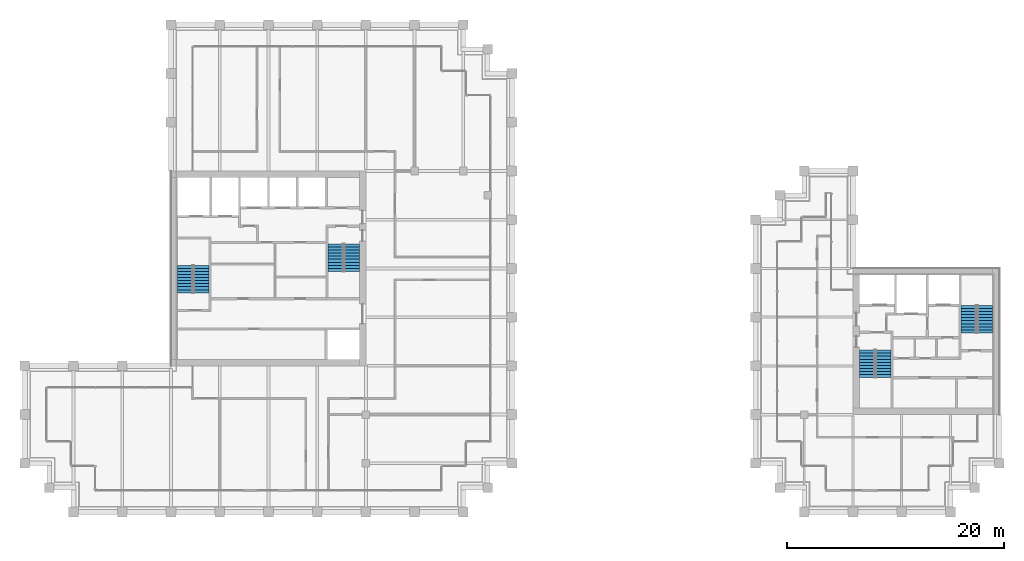
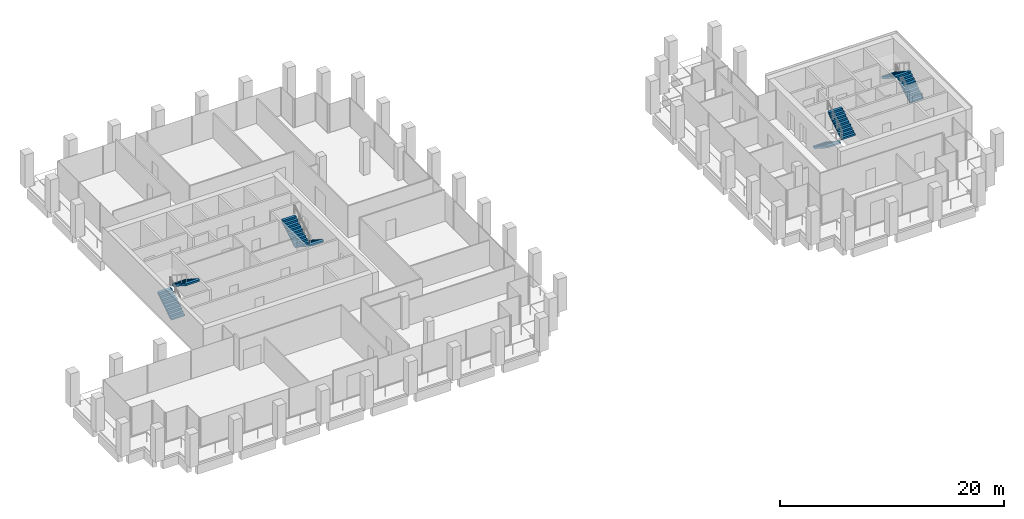
# One storey, part 39 of 40: 8 stair flights, 4 elements without a shape of their own.
"""IFC4 building model written with IfcOpenShell, lengths in metres."""

from ifc_helpers import new_model, si_unit, direction, frame, origin, place, context, subcontext, project, spatial, polyline, outline, extrude, material, type_object, element, aggregate, save


model = new_model("IFC4")

# Units and contexts
model_context = context("Model", 3, precision=1e-05, world=origin(), true_north=direction((0.0, 1.0)))
body_context = subcontext(model_context, "Body", "Model", "MODEL_VIEW")
ifc_project = project(units=[si_unit("LENGTHUNIT", "METRE"), si_unit("AREAUNIT", "SQUARE_METRE"), si_unit("VOLUMEUNIT", "CUBIC_METRE"), si_unit("PLANEANGLEUNIT", "RADIAN"), si_unit("MASSUNIT", "GRAM", prefix="KILO")], contexts=[model_context])

# Site, building, storey
site_placement = place(None, origin())
site = spatial("IfcSite", under=ifc_project, at=site_placement, CompositionType="ELEMENT")
building_placement = place(site_placement, origin())
building = spatial("IfcBuilding", under=site, at=building_placement, Name="Altepetl Exchange Towers", CompositionType="ELEMENT")
storey_placement = place(building_placement, frame((0.0, 0.0, 183.39990234375)))
storey = spatial("IfcBuildingStorey", under=building, at=storey_placement, Name="L46", CompositionType="ELEMENT", Elevation=183.39990234375)

# Stair, stair flights
ifc_material = material(Name="Concrete C40/50", Category="concrete")
stair_type = type_object("IfcStairType", Name="Exit stair 1400 flights dogleg", PredefinedType="HALF_TURN_STAIR", material=ifc_material)
stair_1_placement = place(storey_placement, origin())
stair_1 = element("IfcStair", 1, at=stair_1_placement, inside=storey, type_object=stair_type, Name="Exit stair 1", PredefinedType="HALF_TURN_STAIR")
stair_flight_type = type_object("IfcStairFlightType", Name="Stair flight 1400 wide", PredefinedType="STRAIGHT", material=ifc_material)
stair_flight_1_placement = place(storey_placement, frame((41.800048828125, 47.25, 0.0), z_axis=(0.0, 0.0, 1.0), x_axis=(0.0, 1.0, 0.0)))
stair_flight_1 = element("IfcStairFlight", 2, at=stair_flight_1_placement, type_object=stair_flight_type, Name="ST-A1e flight 1", NumberOfRisers=10, NumberOfTreads=9, PredefinedType="STRAIGHT", RiserHeight=0.18, TreadLength=0.28, context=body_context, shape_type="SweptSolid", body=[
    extrude(outline(polyline([(0.0, 0.0), (0.0, 0.179931640625), (0.280029296875, 0.179931640625), (0.280029296875, 0.360107421875), (0.56005859375, 0.360107421875), (0.56005859375, 0.5400390625), (0.840087890625, 0.5400390625), (0.840087890625, 0.719970703125), (1.1201171875, 0.719970703125), (1.1201171875, 0.89990234375), (1.39990234375, 0.89990234375), (1.39990234375, 1.080078125), (1.679931640625, 1.080078125), (1.679931640625, 1.260009765625), (1.9599609375, 1.260009765625), (1.9599609375, 1.43994140625), (2.239990234375, 1.43994140625), (2.239990234375, 1.6201171875), (2.52001953125, 1.6201171875), (2.52001953125, 1.800048828125), (2.52001953125, 1.44189453125), (0.277099609375, 0.0), (0.0, 0.0)])), frame((0.0, 0.699951171875, 0.0), z_axis=(0.0, -1.0, 0.0), x_axis=(1.0, 0.0, 0.0)), (0.0, 0.0, 1.0), 1.39990234375),
])
stair_flight_2_placement = place(storey_placement, frame((43.300048828125, 49.77001953125, 1.800048828125), z_axis=(0.0, 0.0, 1.0), x_axis=(0.0, -1.0, 0.0)))
stair_flight_2 = element("IfcStairFlight", 3, at=stair_flight_2_placement, type_object=stair_flight_type, Name="ST-A1e flight 2", NumberOfRisers=10, NumberOfTreads=9, PredefinedType="STRAIGHT", RiserHeight=0.18, TreadLength=0.28, context=body_context, shape_type="SweptSolid", body=[
    extrude(outline(polyline([(0.0, 0.0), (0.0, 0.179931640625), (0.280029296875, 0.179931640625), (0.280029296875, 0.360107421875), (0.56005859375, 0.360107421875), (0.56005859375, 0.5400390625), (0.840087890625, 0.5400390625), (0.840087890625, 0.719970703125), (1.1201171875, 0.719970703125), (1.1201171875, 0.89990234375), (1.39990234375, 0.89990234375), (1.39990234375, 1.080078125), (1.679931640625, 1.080078125), (1.679931640625, 1.260009765625), (1.9599609375, 1.260009765625), (1.9599609375, 1.43994140625), (2.239990234375, 1.43994140625), (2.239990234375, 1.6201171875), (2.52001953125, 1.6201171875), (2.52001953125, 1.800048828125), (2.52001953125, 1.44189453125), (0.277099609375, 0.0), (0.0, 0.0)])), frame((0.0, 0.699951171875, 0.0), z_axis=(0.0, -1.0, 0.0), x_axis=(1.0, 0.0, 0.0)), (0.0, 0.0, 1.0), 1.39990234375),
])
aggregate(stair_1, [stair_flight_1, stair_flight_2])

stair_2_placement = place(storey_placement, origin())
stair_2 = element("IfcStair", 4, at=stair_2_placement, inside=storey, type_object=stair_type, Name="Exit stair 2", PredefinedType="HALF_TURN_STAIR")
stair_flight_3_placement = place(storey_placement, frame((57.199951171875, 51.75, 0.0), z_axis=(0.0, 0.0, 1.0), x_axis=(0.0, -1.0, 0.0)))
stair_flight_3 = element("IfcStairFlight", 5, at=stair_flight_3_placement, type_object=stair_flight_type, Name="ST-A2e flight 1", NumberOfRisers=10, NumberOfTreads=9, PredefinedType="STRAIGHT", RiserHeight=0.18, TreadLength=0.28, context=body_context, shape_type="SweptSolid", body=[
    extrude(outline(polyline([(0.0, 0.0), (0.0, 0.179931640625), (0.280029296875, 0.179931640625), (0.280029296875, 0.360107421875), (0.56005859375, 0.360107421875), (0.56005859375, 0.5400390625), (0.840087890625, 0.5400390625), (0.840087890625, 0.719970703125), (1.1201171875, 0.719970703125), (1.1201171875, 0.89990234375), (1.39990234375, 0.89990234375), (1.39990234375, 1.080078125), (1.679931640625, 1.080078125), (1.679931640625, 1.260009765625), (1.9599609375, 1.260009765625), (1.9599609375, 1.43994140625), (2.239990234375, 1.43994140625), (2.239990234375, 1.6201171875), (2.52001953125, 1.6201171875), (2.52001953125, 1.800048828125), (2.52001953125, 1.44189453125), (0.277099609375, 0.0), (0.0, 0.0)])), frame((0.0, 0.699951171875, 0.0), z_axis=(0.0, -1.0, 0.0), x_axis=(1.0, 0.0, 0.0)), (0.0, 0.0, 1.0), 1.39990234375),
])
stair_flight_4_placement = place(storey_placement, frame((55.699951171875, 49.22998046875, 1.800048828125), z_axis=(0.0, 0.0, 1.0), x_axis=(0.0, 1.0, 0.0)))
stair_flight_4 = element("IfcStairFlight", 6, at=stair_flight_4_placement, type_object=stair_flight_type, Name="ST-A2e flight 2", NumberOfRisers=10, NumberOfTreads=9, PredefinedType="STRAIGHT", RiserHeight=0.18, TreadLength=0.28, context=body_context, shape_type="SweptSolid", body=[
    extrude(outline(polyline([(0.0, 0.0), (0.0, 0.179931640625), (0.280029296875, 0.179931640625), (0.280029296875, 0.360107421875), (0.56005859375, 0.360107421875), (0.56005859375, 0.5400390625), (0.840087890625, 0.5400390625), (0.840087890625, 0.719970703125), (1.1201171875, 0.719970703125), (1.1201171875, 0.89990234375), (1.39990234375, 0.89990234375), (1.39990234375, 1.080078125), (1.679931640625, 1.080078125), (1.679931640625, 1.260009765625), (1.9599609375, 1.260009765625), (1.9599609375, 1.43994140625), (2.239990234375, 1.43994140625), (2.239990234375, 1.6201171875), (2.52001953125, 1.6201171875), (2.52001953125, 1.800048828125), (2.52001953125, 1.44189453125), (0.277099609375, 0.0), (0.0, 0.0)])), frame((0.0, 0.699951171875, 0.0), z_axis=(0.0, -1.0, 0.0), x_axis=(1.0, 0.0, 0.0)), (0.0, 0.0, 1.0), 1.39990234375),
])
aggregate(stair_2, [stair_flight_3, stair_flight_4])

stair_3_placement = place(storey_placement, origin())
stair_3 = element("IfcStair", 7, at=stair_3_placement, inside=storey, type_object=stair_type, Name="Exit stair 1", PredefinedType="HALF_TURN_STAIR")
stair_flight_5_placement = place(storey_placement, frame((104.800048828125, 41.949951171875, 0.0), z_axis=(0.0, 0.0, 1.0), x_axis=(0.0, -1.0, 0.0)))
stair_flight_5 = element("IfcStairFlight", 8, at=stair_flight_5_placement, type_object=stair_flight_type, Name="ST-B1e flight 1", NumberOfRisers=10, NumberOfTreads=9, PredefinedType="STRAIGHT", RiserHeight=0.18, TreadLength=0.28, context=body_context, shape_type="SweptSolid", body=[
    extrude(outline(polyline([(0.0, 0.0), (0.0, 0.179931640625), (0.280029296875, 0.179931640625), (0.280029296875, 0.360107421875), (0.56005859375, 0.360107421875), (0.56005859375, 0.5400390625), (0.840087890625, 0.5400390625), (0.840087890625, 0.719970703125), (1.1201171875, 0.719970703125), (1.1201171875, 0.89990234375), (1.39990234375, 0.89990234375), (1.39990234375, 1.080078125), (1.679931640625, 1.080078125), (1.679931640625, 1.260009765625), (1.9599609375, 1.260009765625), (1.9599609375, 1.43994140625), (2.239990234375, 1.43994140625), (2.239990234375, 1.6201171875), (2.52001953125, 1.6201171875), (2.52001953125, 1.800048828125), (2.52001953125, 1.44189453125), (0.277099609375, 0.0), (0.0, 0.0)])), frame((0.0, 0.699951171875, 0.0), z_axis=(0.0, -1.0, 0.0), x_axis=(1.0, 0.0, 0.0)), (0.0, 0.0, 1.0), 1.39990234375),
])
stair_flight_6_placement = place(storey_placement, frame((106.300048828125, 39.429931640625, 1.800048828125), z_axis=(0.0, 0.0, 1.0), x_axis=(0.0, 1.0, 0.0)))
stair_flight_6 = element("IfcStairFlight", 9, at=stair_flight_6_placement, type_object=stair_flight_type, Name="ST-B1e flight 2", NumberOfRisers=10, NumberOfTreads=9, PredefinedType="STRAIGHT", RiserHeight=0.18, TreadLength=0.28, context=body_context, shape_type="SweptSolid", body=[
    extrude(outline(polyline([(0.0, 0.0), (0.0, 0.179931640625), (0.280029296875, 0.179931640625), (0.280029296875, 0.360107421875), (0.56005859375, 0.360107421875), (0.56005859375, 0.5400390625), (0.840087890625, 0.5400390625), (0.840087890625, 0.719970703125), (1.1201171875, 0.719970703125), (1.1201171875, 0.89990234375), (1.39990234375, 0.89990234375), (1.39990234375, 1.080078125), (1.679931640625, 1.080078125), (1.679931640625, 1.260009765625), (1.9599609375, 1.260009765625), (1.9599609375, 1.43994140625), (2.239990234375, 1.43994140625), (2.239990234375, 1.6201171875), (2.52001953125, 1.6201171875), (2.52001953125, 1.800048828125), (2.52001953125, 1.44189453125), (0.277099609375, 0.0), (0.0, 0.0)])), frame((0.0, 0.699951171875, 0.0), z_axis=(0.0, -1.0, 0.0), x_axis=(1.0, 0.0, 0.0)), (0.0, 0.0, 1.0), 1.39990234375),
])
aggregate(stair_3, [stair_flight_5, stair_flight_6])

stair_4_placement = place(storey_placement, origin())
stair_4 = element("IfcStair", 10, at=stair_4_placement, inside=storey, type_object=stair_type, Name="Exit stair 2", PredefinedType="HALF_TURN_STAIR")
stair_flight_7_placement = place(storey_placement, frame((115.699951171875, 43.550048828125, 0.0), z_axis=(0.0, 0.0, 1.0), x_axis=(0.0, 1.0, 0.0)))
stair_flight_7 = element("IfcStairFlight", 11, at=stair_flight_7_placement, type_object=stair_flight_type, Name="ST-B2e flight 1", NumberOfRisers=10, NumberOfTreads=9, PredefinedType="STRAIGHT", RiserHeight=0.18, TreadLength=0.28, context=body_context, shape_type="SweptSolid", body=[
    extrude(outline(polyline([(0.0, 0.0), (0.0, 0.179931640625), (0.280029296875, 0.179931640625), (0.280029296875, 0.360107421875), (0.56005859375, 0.360107421875), (0.56005859375, 0.5400390625), (0.840087890625, 0.5400390625), (0.840087890625, 0.719970703125), (1.1201171875, 0.719970703125), (1.1201171875, 0.89990234375), (1.39990234375, 0.89990234375), (1.39990234375, 1.080078125), (1.679931640625, 1.080078125), (1.679931640625, 1.260009765625), (1.9599609375, 1.260009765625), (1.9599609375, 1.43994140625), (2.239990234375, 1.43994140625), (2.239990234375, 1.6201171875), (2.52001953125, 1.6201171875), (2.52001953125, 1.800048828125), (2.52001953125, 1.44189453125), (0.277099609375, 0.0), (0.0, 0.0)])), frame((0.0, 0.699951171875, 0.0), z_axis=(0.0, -1.0, 0.0), x_axis=(1.0, 0.0, 0.0)), (0.0, 0.0, 1.0), 1.39990234375),
])
stair_flight_8_placement = place(storey_placement, frame((114.199951171875, 46.070068359375, 1.800048828125), z_axis=(0.0, 0.0, 1.0), x_axis=(0.0, -1.0, 0.0)))
stair_flight_8 = element("IfcStairFlight", 12, at=stair_flight_8_placement, type_object=stair_flight_type, Name="ST-B2e flight 2", NumberOfRisers=10, NumberOfTreads=9, PredefinedType="STRAIGHT", RiserHeight=0.18, TreadLength=0.28, context=body_context, shape_type="SweptSolid", body=[
    extrude(outline(polyline([(0.0, 0.0), (0.0, 0.179931640625), (0.280029296875, 0.179931640625), (0.280029296875, 0.360107421875), (0.56005859375, 0.360107421875), (0.56005859375, 0.5400390625), (0.840087890625, 0.5400390625), (0.840087890625, 0.719970703125), (1.1201171875, 0.719970703125), (1.1201171875, 0.89990234375), (1.39990234375, 0.89990234375), (1.39990234375, 1.080078125), (1.679931640625, 1.080078125), (1.679931640625, 1.260009765625), (1.9599609375, 1.260009765625), (1.9599609375, 1.43994140625), (2.239990234375, 1.43994140625), (2.239990234375, 1.6201171875), (2.52001953125, 1.6201171875), (2.52001953125, 1.800048828125), (2.52001953125, 1.44189453125), (0.277099609375, 0.0), (0.0, 0.0)])), frame((0.0, 0.699951171875, 0.0), z_axis=(0.0, -1.0, 0.0), x_axis=(1.0, 0.0, 0.0)), (0.0, 0.0, 1.0), 1.39990234375),
])
aggregate(stair_4, [stair_flight_7, stair_flight_8])

save(model, "model.ifc")
